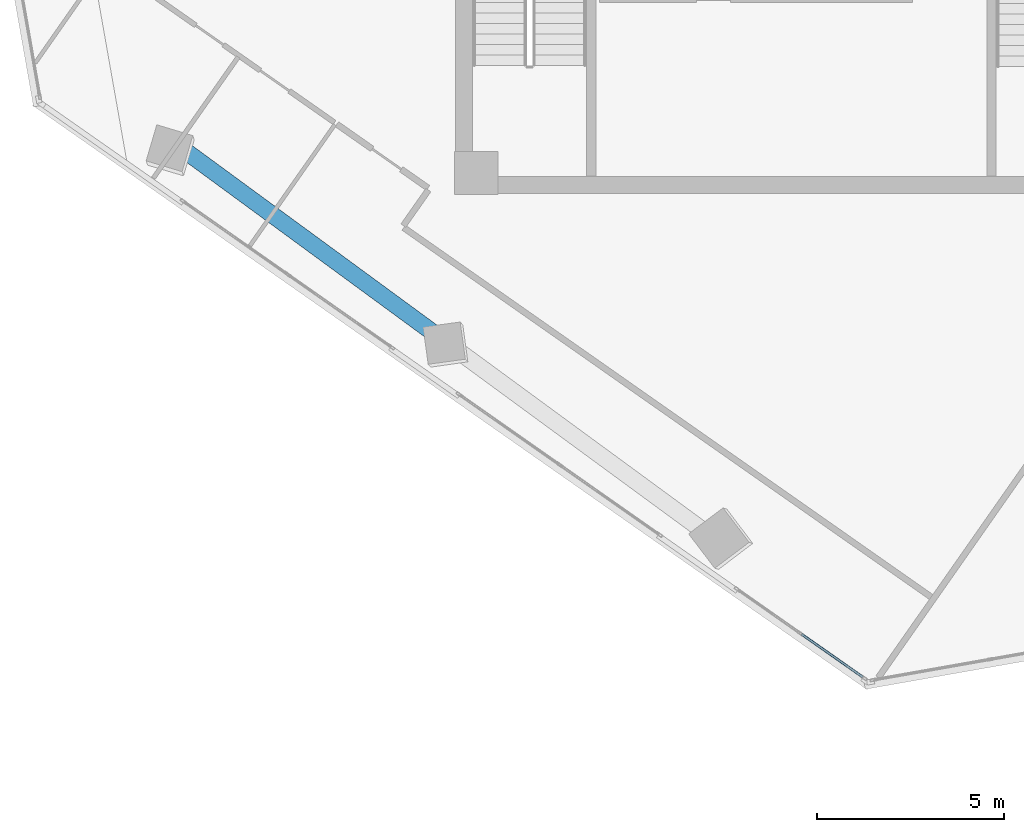
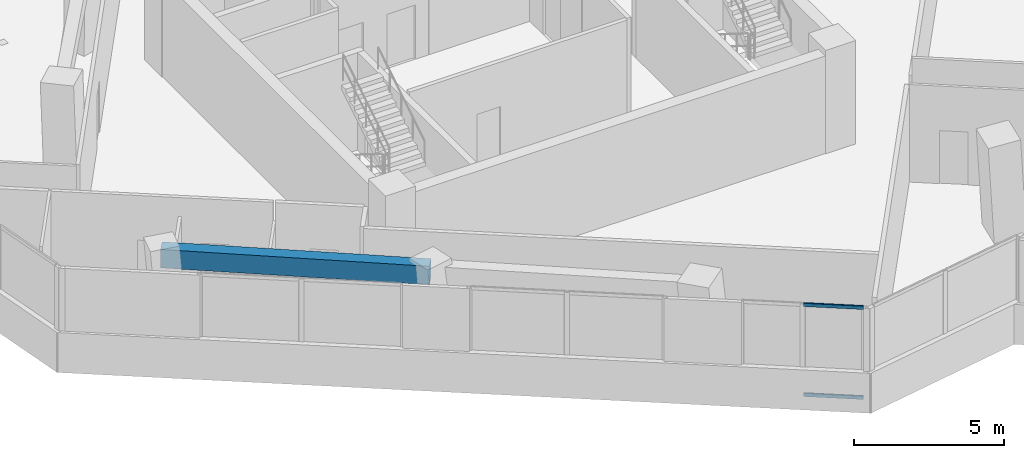
# One storey, part 4 of 22: 2 members, 1 beam, 1 element without a shape of its own.
"""IFC4 building model written with IfcOpenShell, lengths in metres."""

from ifc_helpers import new_model, si_unit, direction, frame, origin, origin_2d, place, context, subcontext, project, spatial, rectangle, hollow_rectangle, extrude, source, transform, mapped, material, material_profile, profile_set, type_object, element, aggregate, save


model = new_model("IFC4")

# Units and contexts
model_context = context("Model", 3, precision=1e-05, world=origin(), true_north=direction((0.0, 1.0)))
body_context = subcontext(model_context, "Body", "Model", "MODEL_VIEW")
ifc_project = project(units=[si_unit("LENGTHUNIT", "METRE"), si_unit("AREAUNIT", "SQUARE_METRE"), si_unit("VOLUMEUNIT", "CUBIC_METRE"), si_unit("PLANEANGLEUNIT", "RADIAN"), si_unit("MASSUNIT", "GRAM", prefix="KILO")], contexts=[model_context])

# Site, building, storey
site_placement = place(None, origin())
site = spatial("IfcSite", under=ifc_project, at=site_placement, CompositionType="ELEMENT")
building_placement = place(site_placement, origin())
building = spatial("IfcBuilding", under=site, at=building_placement, Name="Torre Montelarca", CompositionType="ELEMENT")
storey_placement = place(building_placement, frame((0.0, 0.0, 196.0)))
storey = spatial("IfcBuildingStorey", under=building, at=storey_placement, Name="L44", CompositionType="ELEMENT", Elevation=196.0)

# Beam
ifc_material_1 = material(Name="Concrete C55/67", Category="concrete")
ifc_material_profile_1 = material_profile(ifc_material_1, rectangle(XDim=0.449951171875, YDim=0.75, at=origin_2d()), Name="RCB450X750", Category="concrete")
ifc_profile_set_1 = profile_set([ifc_material_profile_1], Name="Concrete C55/67")
beam_type = type_object("IfcBeamType", Name="BM-SP-RC750-EXT", PredefinedType="SPANDREL", material=ifc_profile_set_1)
shared_shape_1 = source(origin(), body_context, "Body", "SweptSolid", [
    extrude(rectangle(XDim=0.449951171875, YDim=0.75, at=origin_2d()), origin(), (0.0, 0.0, 1.0), 9.0),
])
beam_placement = place(storey_placement, frame((1.248779296875, 25.5205078125, 3.5849609375), z_axis=(0.806447251738, -0.591306037653, 0.0), x_axis=(0.591306037653, 0.806447251738, 0.0)))
element("IfcBeam", 1, at=beam_placement, inside=storey, type_object=beam_type, Name="L44 Grid Girder X 9.0-18.0 at Y=14.8", PredefinedType="SPANDREL", context=body_context, shape_type="MappedRepresentation", body=[
    mapped(shared_shape_1, transform((0.0, 0.0, 0.0), scale=1.0)),
])

# Curtain wall, members
ifc_material_2 = material(Name="Insulated low-E laminated glass", Category="glass")
curtain_wall_type = type_object("IfcCurtainWallType", Name="CW-SYS-Z2", PredefinedType="USERDEFINED", material=ifc_material_2)
curtain_wall_placement = place(storey_placement, origin())
curtain_wall = element("IfcCurtainWall", 2, at=curtain_wall_placement, inside=storey, type_object=curtain_wall_type, Name="L44 Curtain Wall Run CW-T3-L44-E01-B3", ObjectType="UNITISED GLAZING", PredefinedType="USERDEFINED")
ifc_material_3 = material(Name="Anodised aluminium AA 6063-T6", Category="aluminium")
ifc_material_profile_2 = material_profile(ifc_material_3, hollow_rectangle(XDim=0.06494140625, YDim=0.139892578125, WallThickness=0.00390625, InnerFilletRadius=0.00390625, OuterFilletRadius=0.008056640625, at=origin_2d()), Name="ALU65X140X4", Category="aluminium")
ifc_profile_set_2 = profile_set([ifc_material_profile_2], Name="Anodised aluminium AA 6063-T6")
member_type = type_object("IfcMemberType", Name="CWT-ALU140", PredefinedType="USERDEFINED", material=ifc_profile_set_2)
shared_shape_2 = source(origin(), body_context, "Body", "SweptSolid", [
    extrude(hollow_rectangle(XDim=0.06494140625, YDim=0.139892578125, WallThickness=0.00390625, InnerFilletRadius=0.00390625, OuterFilletRadius=0.008056640625, at=origin_2d()), origin(), (0.0, 0.0, 1.0), 1.9921875),
])
member_1_placement = place(storey_placement, frame((18.243408203125, 12.220947265625, 0.032470703125), z_axis=(0.819162822725, -0.573561042841, 0.0), x_axis=(0.573561042841, 0.819162822725, 0.0)))
member_1 = element("IfcMember", 3, at=member_1_placement, type_object=member_type, Name="CW transom 2.1", ObjectType="TRANSOM", PredefinedType="USERDEFINED", context=body_context, shape_type="MappedRepresentation", body=[
    mapped(shared_shape_2, transform((0.0, 0.0, 0.0), scale=1.0)),
])
member_2_placement = place(storey_placement, frame((18.243408203125, 12.220947265625, 3.6875), z_axis=(0.819162822725, -0.573561042841, 0.0), x_axis=(0.573561042841, 0.819162822725, 0.0)))
member_2 = element("IfcMember", 4, at=member_2_placement, type_object=member_type, Name="CW transom 2.2", ObjectType="TRANSOM", PredefinedType="USERDEFINED", context=body_context, shape_type="MappedRepresentation", body=[
    mapped(shared_shape_2, transform((0.0, 0.0, 0.0), scale=1.0)),
])
aggregate(curtain_wall, [member_1, member_2])

save(model, "model.ifc")
